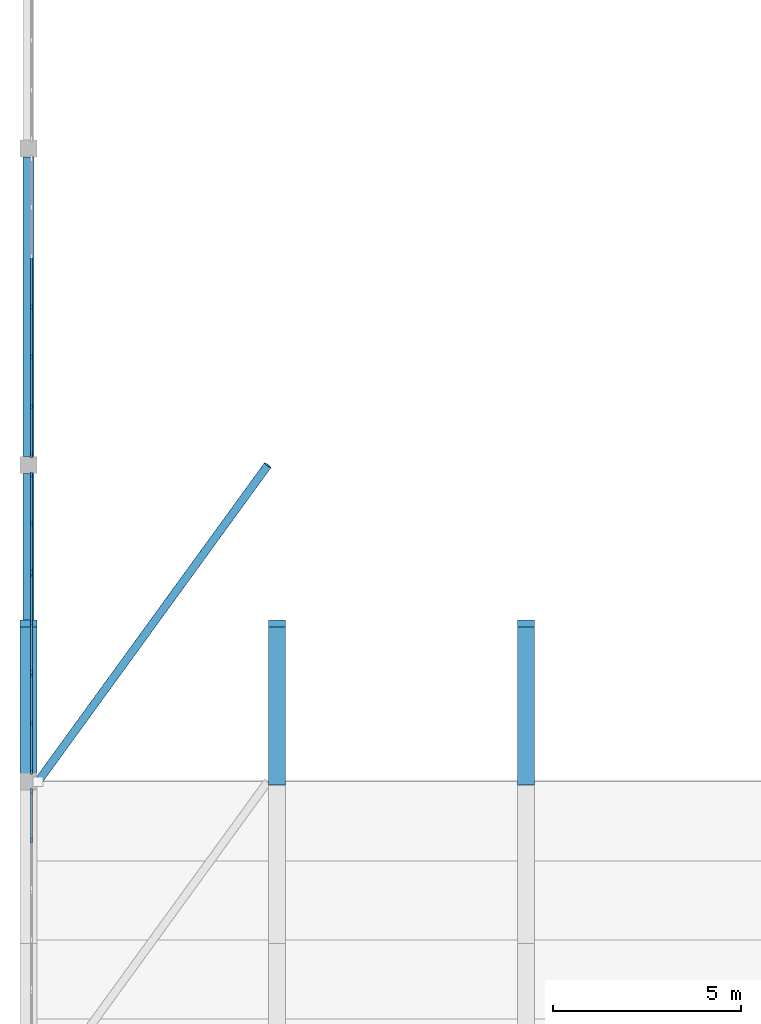
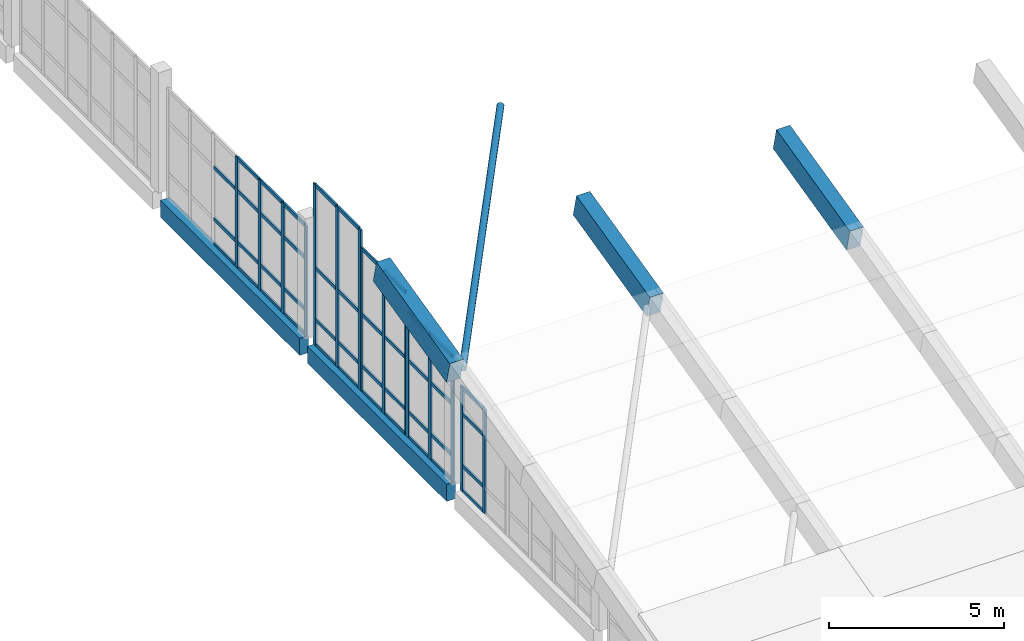
# One storey, part 6 of 78: 59 members, 5 beams, 5 elements without a shape of their own.
"""IFC4 building model written with IfcOpenShell, lengths in metres."""

from ifc_helpers import new_model, si_unit, direction, frame, origin, origin_2d, place, context, subcontext, project, spatial, rectangle, hollow_circle, extrude, material, material_profile, profile_set, type_object, element, aggregate, save


model = new_model("IFC4")

# Units and contexts
model_context = context("Model", 3, precision=1e-05, world=origin(), true_north=direction((0.0, 1.0)))
body_context = subcontext(model_context, "Body", "Model", "MODEL_VIEW")
ifc_project = project(units=[si_unit("LENGTHUNIT", "METRE"), si_unit("AREAUNIT", "SQUARE_METRE"), si_unit("VOLUMEUNIT", "CUBIC_METRE"), si_unit("PLANEANGLEUNIT", "RADIAN"), si_unit("MASSUNIT", "GRAM", prefix="KILO")], contexts=[model_context])

# Site, building, storey
site_placement = place(None, origin())
site = spatial("IfcSite", under=ifc_project, at=site_placement, CompositionType="ELEMENT")
building_placement = place(site_placement, origin())
building = spatial("IfcBuilding", under=site, at=building_placement, Name="Qaldarim Faculty of Natural and Applied Sciences", CompositionType="ELEMENT")
storey_placement = place(building_placement, frame((0.0, 0.0, 18.60009765625)))
storey = spatial("IfcBuildingStorey", under=building, at=storey_placement, Name="L04", CompositionType="ELEMENT", Elevation=18.60009765625)

# Curtain wall, members
ifc_material_1 = material(Name="Anodised aluminium AW-6063", Category="aluminium")
curtain_wall_type = type_object("IfcCurtainWallType", Name="CurtainWallSystem-M1300", PredefinedType="USERDEFINED", material=ifc_material_1)
curtain_wall_1_placement = place(storey_placement, origin())
curtain_wall_1 = element("IfcCurtainWall", 1, at=curtain_wall_1_placement, inside=storey, type_object=curtain_wall_type, Name="Curtain wall CW-GABLE-L04-W-Y04-3", ObjectType="STICK CURTAIN WALL", PredefinedType="USERDEFINED")
ifc_material_profile_1 = material_profile(ifc_material_1, rectangle(XDim=0.06005859375, YDim=0.14990234375, at=origin_2d()), Name="ALU-M60x150")
ifc_profile_set_1 = profile_set([ifc_material_profile_1], Name="Anodised aluminium AW-6063")
member_type_1 = type_object("IfcMemberType", Name="Mullion-ALU60x150", PredefinedType="MULLION", material=ifc_profile_set_1)
member_1_placement = place(storey_placement, frame((0.080078125, 33.340087890625, -0.260009765625), z_axis=(0.0, 0.0, 1.0), x_axis=(1.0, 0.0, 0.0)))
member_1 = element("IfcMember", 2, at=member_1_placement, type_object=member_type_1, Name="Mullion 1 of CW-GABLE-L04-W-Y04-3", PredefinedType="MULLION", context=body_context, shape_type="SweptSolid", body=[
    extrude(rectangle(XDim=0.06005859375, YDim=0.14990234375, at=origin_2d()), origin(), (0.0, 0.0, 1.0), 3.64501953125),
])
member_2_placement = place(storey_placement, frame((0.080078125, 32.052490234375, -0.260009765625), z_axis=(0.0, 0.0, 1.0), x_axis=(1.0, 0.0, 0.0)))
member_2 = element("IfcMember", 3, at=member_2_placement, type_object=member_type_1, Name="Mullion 2 of CW-GABLE-L04-W-Y04-3", PredefinedType="MULLION", context=body_context, shape_type="SweptSolid", body=[
    extrude(rectangle(XDim=0.06005859375, YDim=0.14990234375, at=origin_2d()), origin(), (0.0, 0.0, 1.0), 3.64501953125),
])

curtain_wall_2_placement = place(storey_placement, origin())
curtain_wall_2 = element("IfcCurtainWall", 4, at=curtain_wall_2_placement, inside=storey, type_object=curtain_wall_type, Name="Curtain wall CW-GABLE-L04-W-Y05-1", ObjectType="STICK CURTAIN WALL", PredefinedType="USERDEFINED")
member_3_placement = place(storey_placement, frame((0.080078125, 36.43505859375, -0.260009765625), z_axis=(0.0, 0.0, 1.0), x_axis=(1.0, 0.0, 0.0)))
member_3 = element("IfcMember", 5, at=member_3_placement, type_object=member_type_1, Name="Mullion 1 of CW-GABLE-L04-W-Y05-1", PredefinedType="MULLION", context=body_context, shape_type="SweptSolid", body=[
    extrude(rectangle(XDim=0.06005859375, YDim=0.14990234375, at=origin_2d()), origin(), (0.0, 0.0, 1.0), 4.385009765625),
])
member_4_placement = place(storey_placement, frame((0.080078125, 35.1474609375, -0.260009765625), z_axis=(0.0, 0.0, 1.0), x_axis=(1.0, 0.0, 0.0)))
member_4 = element("IfcMember", 6, at=member_4_placement, type_object=member_type_1, Name="Mullion 2 of CW-GABLE-L04-W-Y05-1", PredefinedType="MULLION", context=body_context, shape_type="SweptSolid", body=[
    extrude(rectangle(XDim=0.06005859375, YDim=0.14990234375, at=origin_2d()), origin(), (0.0, 0.0, 1.0), 4.385009765625),
])
member_5_placement = place(storey_placement, frame((0.080078125, 33.860107421875, -0.260009765625), z_axis=(0.0, 0.0, 1.0), x_axis=(1.0, 0.0, 0.0)))
member_5 = element("IfcMember", 7, at=member_5_placement, type_object=member_type_1, Name="Mullion 3 of CW-GABLE-L04-W-Y05-1", PredefinedType="MULLION", context=body_context, shape_type="SweptSolid", body=[
    extrude(rectangle(XDim=0.06005859375, YDim=0.14990234375, at=origin_2d()), origin(), (0.0, 0.0, 1.0), 4.385009765625),
])

curtain_wall_3_placement = place(storey_placement, origin())
curtain_wall_3 = element("IfcCurtainWall", 8, at=curtain_wall_3_placement, inside=storey, type_object=curtain_wall_type, Name="Curtain wall CW-GABLE-L04-W-Y05-2", ObjectType="STICK CURTAIN WALL", PredefinedType="USERDEFINED")
member_6_placement = place(storey_placement, frame((0.080078125, 39.090087890625, -0.260009765625), z_axis=(0.0, 0.0, 1.0), x_axis=(1.0, 0.0, 0.0)))
member_6 = element("IfcMember", 9, at=member_6_placement, type_object=member_type_1, Name="Mullion 1 of CW-GABLE-L04-W-Y05-2", PredefinedType="MULLION", context=body_context, shape_type="SweptSolid", body=[
    extrude(rectangle(XDim=0.06005859375, YDim=0.14990234375, at=origin_2d()), origin(), (0.0, 0.0, 1.0), 5.0048828125),
])
member_7_placement = place(storey_placement, frame((0.080078125, 37.802490234375, -0.260009765625), z_axis=(0.0, 0.0, 1.0), x_axis=(1.0, 0.0, 0.0)))
member_7 = element("IfcMember", 10, at=member_7_placement, type_object=member_type_1, Name="Mullion 2 of CW-GABLE-L04-W-Y05-2", PredefinedType="MULLION", context=body_context, shape_type="SweptSolid", body=[
    extrude(rectangle(XDim=0.06005859375, YDim=0.14990234375, at=origin_2d()), origin(), (0.0, 0.0, 1.0), 5.0048828125),
])
member_8_placement = place(storey_placement, frame((0.080078125, 36.514892578125, -0.260009765625), z_axis=(0.0, 0.0, 1.0), x_axis=(1.0, 0.0, 0.0)))
member_8 = element("IfcMember", 11, at=member_8_placement, type_object=member_type_1, Name="Mullion 3 of CW-GABLE-L04-W-Y05-2", PredefinedType="MULLION", context=body_context, shape_type="SweptSolid", body=[
    extrude(rectangle(XDim=0.06005859375, YDim=0.14990234375, at=origin_2d()), origin(), (0.0, 0.0, 1.0), 5.0048828125),
])

curtain_wall_4_placement = place(storey_placement, origin())
curtain_wall_4 = element("IfcCurtainWall", 12, at=curtain_wall_4_placement, inside=storey, type_object=curtain_wall_type, Name="Curtain wall CW-GABLE-L04-W-Y05-3", ObjectType="STICK CURTAIN WALL", PredefinedType="USERDEFINED")
member_9_placement = place(storey_placement, frame((0.080078125, 41.739990234375, -0.260009765625), z_axis=(0.0, 0.0, 1.0), x_axis=(1.0, 0.0, 0.0)))
member_9 = element("IfcMember", 13, at=member_9_placement, type_object=member_type_1, Name="Mullion 1 of CW-GABLE-L04-W-Y05-3", PredefinedType="MULLION", context=body_context, shape_type="SweptSolid", body=[
    extrude(rectangle(XDim=0.06005859375, YDim=0.14990234375, at=origin_2d()), origin(), (0.0, 0.0, 1.0), 5.60986328125),
])
member_10_placement = place(storey_placement, frame((0.080078125, 40.452392578125, -0.260009765625), z_axis=(0.0, 0.0, 1.0), x_axis=(1.0, 0.0, 0.0)))
member_10 = element("IfcMember", 14, at=member_10_placement, type_object=member_type_1, Name="Mullion 2 of CW-GABLE-L04-W-Y05-3", PredefinedType="MULLION", context=body_context, shape_type="SweptSolid", body=[
    extrude(rectangle(XDim=0.06005859375, YDim=0.14990234375, at=origin_2d()), origin(), (0.0, 0.0, 1.0), 5.60986328125),
])
member_11_placement = place(storey_placement, frame((0.080078125, 39.1650390625, -0.260009765625), z_axis=(0.0, 0.0, 1.0), x_axis=(1.0, 0.0, 0.0)))
member_11 = element("IfcMember", 15, at=member_11_placement, type_object=member_type_1, Name="Mullion 3 of CW-GABLE-L04-W-Y05-3", PredefinedType="MULLION", context=body_context, shape_type="SweptSolid", body=[
    extrude(rectangle(XDim=0.06005859375, YDim=0.14990234375, at=origin_2d()), origin(), (0.0, 0.0, 1.0), 5.60986328125),
])

curtain_wall_5_placement = place(storey_placement, origin())
curtain_wall_5 = element("IfcCurtainWall", 16, at=curtain_wall_5_placement, inside=storey, type_object=curtain_wall_type, Name="Curtain wall CW-GABLE-L04-W-Y06", ObjectType="STICK CURTAIN WALL", PredefinedType="USERDEFINED")
member_12_placement = place(storey_placement, frame((0.080078125, 46.199951171875, -0.260009765625), z_axis=(0.0, 0.0, 1.0), x_axis=(1.0, 0.0, 0.0)))
member_12 = element("IfcMember", 17, at=member_12_placement, type_object=member_type_1, Name="Mullion 4 of CW-GABLE-L04-W-Y06", PredefinedType="MULLION", context=body_context, shape_type="SweptSolid", body=[
    extrude(rectangle(XDim=0.06005859375, YDim=0.14990234375, at=origin_2d()), origin(), (0.0, 0.0, 1.0), 3.85986328125),
])
member_13_placement = place(storey_placement, frame((0.080078125, 44.876708984375, -0.260009765625), z_axis=(0.0, 0.0, 1.0), x_axis=(1.0, 0.0, 0.0)))
member_13 = element("IfcMember", 18, at=member_13_placement, type_object=member_type_1, Name="Mullion 5 of CW-GABLE-L04-W-Y06", PredefinedType="MULLION", context=body_context, shape_type="SweptSolid", body=[
    extrude(rectangle(XDim=0.06005859375, YDim=0.14990234375, at=origin_2d()), origin(), (0.0, 0.0, 1.0), 3.85986328125),
])
member_14_placement = place(storey_placement, frame((0.080078125, 43.55322265625, -0.260009765625), z_axis=(0.0, 0.0, 1.0), x_axis=(1.0, 0.0, 0.0)))
member_14 = element("IfcMember", 19, at=member_14_placement, type_object=member_type_1, Name="Mullion 6 of CW-GABLE-L04-W-Y06", PredefinedType="MULLION", context=body_context, shape_type="SweptSolid", body=[
    extrude(rectangle(XDim=0.06005859375, YDim=0.14990234375, at=origin_2d()), origin(), (0.0, 0.0, 1.0), 3.85986328125),
])
member_15_placement = place(storey_placement, frame((0.080078125, 42.260009765625, -0.260009765625), z_axis=(0.0, 0.0, 1.0), x_axis=(1.0, 0.0, 0.0)))
member_15 = element("IfcMember", 20, at=member_15_placement, type_object=member_type_1, Name="Mullion 7 of CW-GABLE-L04-W-Y06", PredefinedType="MULLION", context=body_context, shape_type="SweptSolid", body=[
    extrude(rectangle(XDim=0.06005859375, YDim=0.14990234375, at=origin_2d()), origin(), (0.0, 0.0, 1.0), 3.85986328125),
])

# Beams
ifc_material_2 = material(Name="Concrete C50/60", Category="concrete")
ifc_material_profile_2 = material_profile(ifc_material_2, rectangle(XDim=0.449951171875, YDim=0.800048828125, at=origin_2d()), Name="RC-RIB450x800")
ifc_profile_set_2 = profile_set([ifc_material_profile_2], Name="Concrete C50/60")
beam_type_1 = type_object("IfcBeamType", Name="ShellArchRib-RC450x800", PredefinedType="BEAM", material=ifc_profile_set_2)
for number, where, z_axis, x_axis, name in (
    (21, (0.0, 33.60009765625, 3.77978515625), (0.0, 0.972805607937, 0.231623075633), (-1.0, 0.0, 0.0), "Shell arch rib 1 S segment 5"),
    (22, (6.60009765625, 33.60009765625, 3.77978515625), (0.0, 0.972805607937, 0.231623075633), (-1.0, 0.0, 0.0), "Shell arch rib 2 S segment 5"),
    (23, (13.199951171875, 33.60009765625, 3.77978515625), (0.0, 0.972805607937, 0.231623075633), (-1.0, 0.0, 0.0), "Shell arch rib 3 S segment 5"),
):
    element("IfcBeam", number, at=place(storey_placement, frame(where, z_axis=z_axis, x_axis=x_axis)), inside=storey, type_object=beam_type_1, Name=name, PredefinedType="BEAM", context=body_context, shape_type="SweptSolid", body=[
        extrude(rectangle(XDim=0.449951171875, YDim=0.800048828125, at=origin_2d()), origin(), (0.0, 0.0, 1.0), 4.3173828125),
    ])

# Member
ifc_material_3 = material(Name="Structural steel S355", Category="steel")
ifc_material_profile_3 = material_profile(ifc_material_3, hollow_circle(Radius=0.109619140625, WallThickness=0.012451171875, at=origin_2d()), Name="CHS 219.1x12.5")
ifc_profile_set_3 = profile_set([ifc_material_profile_3], Name="Structural steel S355")
member_type_2 = type_object("IfcMemberType", Name="ShellStrut-CHS219x12-5", PredefinedType="STRUT", material=ifc_profile_set_3)
member_16_placement = place(storey_placement, frame((0.25, 33.60009765625, 3.77978515625), z_axis=(0.577406183536, 0.795094739084, 0.185543674362), x_axis=(-0.809144712888, 0.587609422665, 0.0)))
element("IfcMember", 24, at=member_16_placement, inside=storey, type_object=member_type_2, Name="Shell wind strut bay 1 S3", PredefinedType="STRUT", context=body_context, shape_type="SweptSolid", body=[
    extrude(hollow_circle(Radius=0.109619140625, WallThickness=0.012451171875, at=origin_2d()), origin(), (0.0, 0.0, 1.0), 10.564697265625),
])

# Beams
ifc_material_4 = material(Name="Precast concrete C40/50", Category="concrete")
ifc_material_profile_4 = material_profile(ifc_material_4, rectangle(XDim=0.300048828125, YDim=0.60009765625, at=origin_2d()), Name="RC-SP300x600")
ifc_profile_set_4 = profile_set([ifc_material_profile_4], Name="Precast concrete C40/50")
beam_type_2 = type_object("IfcBeamType", Name="SpandrelBeam-RC300x600", PredefinedType="SPANDREL", material=ifc_profile_set_4)
for number, where, z_axis, x_axis, name in (
    (25, (0.0, 33.824951171875, -0.56005859375), (0.0, 1.0, 0.0), (-1.0, 0.0, 0.0), "Shell gable tie beam L03 X01/Y05-Y06"),
    (26, (0.0, 42.22509765625, -0.56005859375), (0.0, 1.0, 0.0), (-1.0, 0.0, 0.0), "Shell gable tie beam L03 X01/Y06-Y07"),
):
    element("IfcBeam", number, at=place(storey_placement, frame(where, z_axis=z_axis, x_axis=x_axis)), inside=storey, type_object=beam_type_2, Name=name, PredefinedType="SPANDREL", context=body_context, shape_type="SweptSolid", body=[
        extrude(rectangle(XDim=0.300048828125, YDim=0.60009765625, at=origin_2d()), origin(), (0.0, 0.0, 1.0), 7.949951171875),
    ])

# Member
ifc_material_profile_5 = material_profile(ifc_material_1, rectangle(XDim=0.06005859375, YDim=0.1201171875, at=origin_2d()), Name="ALU-T60x120")
ifc_profile_set_5 = profile_set([ifc_material_profile_5], Name="Anodised aluminium AW-6063")
member_type_3 = type_object("IfcMemberType", Name="Transom-ALU60x120", PredefinedType="USERDEFINED", material=ifc_profile_set_5)
member_17_placement = place(storey_placement, frame((0.080078125, 33.31005859375, -0.22998046875), z_axis=(0.0, -1.0, 0.0), x_axis=(1.0, 0.0, 0.0)))
member_17 = element("IfcMember", 27, at=member_17_placement, type_object=member_type_3, Name="Transom 1-1 of CW-GABLE-L04-W-Y04-3", ObjectType="TRANSOM", PredefinedType="USERDEFINED", context=body_context, shape_type="SweptSolid", body=[
    extrude(rectangle(XDim=0.06005859375, YDim=0.1201171875, at=origin_2d()), origin(), (0.0, 0.0, 1.0), 1.2275390625),
])

member_18_placement = place(storey_placement, frame((0.080078125, 33.31005859375, 0.639892578125), z_axis=(0.0, -1.0, 0.0), x_axis=(1.0, 0.0, 0.0)))
member_18 = element("IfcMember", 28, at=member_18_placement, type_object=member_type_3, Name="Transom 1-2 of CW-GABLE-L04-W-Y04-3", ObjectType="TRANSOM", PredefinedType="USERDEFINED", context=body_context, shape_type="SweptSolid", body=[
    extrude(rectangle(XDim=0.06005859375, YDim=0.1201171875, at=origin_2d()), origin(), (0.0, 0.0, 1.0), 1.2275390625),
])

member_19_placement = place(storey_placement, frame((0.080078125, 33.31005859375, 2.43994140625), z_axis=(0.0, -1.0, 0.0), x_axis=(1.0, 0.0, 0.0)))
member_19 = element("IfcMember", 29, at=member_19_placement, type_object=member_type_3, Name="Transom 1-3 of CW-GABLE-L04-W-Y04-3", ObjectType="TRANSOM", PredefinedType="USERDEFINED", context=body_context, shape_type="SweptSolid", body=[
    extrude(rectangle(XDim=0.06005859375, YDim=0.1201171875, at=origin_2d()), origin(), (0.0, 0.0, 1.0), 1.2275390625),
])

member_20_placement = place(storey_placement, frame((0.080078125, 33.31005859375, 3.35498046875), z_axis=(0.0, -1.0, 0.0), x_axis=(1.0, 0.0, 0.0)))
member_20 = element("IfcMember", 30, at=member_20_placement, type_object=member_type_3, Name="Transom 1-4 of CW-GABLE-L04-W-Y04-3", ObjectType="TRANSOM", PredefinedType="USERDEFINED", context=body_context, shape_type="SweptSolid", body=[
    extrude(rectangle(XDim=0.06005859375, YDim=0.1201171875, at=origin_2d()), origin(), (0.0, 0.0, 1.0), 1.2275390625),
])

aggregate(curtain_wall_1, [member_1, member_2, member_17, member_18, member_19, member_20])

member_21_placement = place(storey_placement, frame((0.080078125, 36.405029296875, -0.22998046875), z_axis=(0.0, -1.0, 0.0), x_axis=(1.0, 0.0, 0.0)))
member_21 = element("IfcMember", 31, at=member_21_placement, type_object=member_type_3, Name="Transom 1-1 of CW-GABLE-L04-W-Y05-1", ObjectType="TRANSOM", PredefinedType="USERDEFINED", context=body_context, shape_type="SweptSolid", body=[
    extrude(rectangle(XDim=0.06005859375, YDim=0.1201171875, at=origin_2d()), origin(), (0.0, 0.0, 1.0), 1.2275390625),
])

member_22_placement = place(storey_placement, frame((0.080078125, 36.405029296875, 0.639892578125), z_axis=(0.0, -1.0, 0.0), x_axis=(1.0, 0.0, 0.0)))
member_22 = element("IfcMember", 32, at=member_22_placement, type_object=member_type_3, Name="Transom 1-2 of CW-GABLE-L04-W-Y05-1", ObjectType="TRANSOM", PredefinedType="USERDEFINED", context=body_context, shape_type="SweptSolid", body=[
    extrude(rectangle(XDim=0.06005859375, YDim=0.1201171875, at=origin_2d()), origin(), (0.0, 0.0, 1.0), 1.2275390625),
])

member_23_placement = place(storey_placement, frame((0.080078125, 36.405029296875, 2.43994140625), z_axis=(0.0, -1.0, 0.0), x_axis=(1.0, 0.0, 0.0)))
member_23 = element("IfcMember", 33, at=member_23_placement, type_object=member_type_3, Name="Transom 1-3 of CW-GABLE-L04-W-Y05-1", ObjectType="TRANSOM", PredefinedType="USERDEFINED", context=body_context, shape_type="SweptSolid", body=[
    extrude(rectangle(XDim=0.06005859375, YDim=0.1201171875, at=origin_2d()), origin(), (0.0, 0.0, 1.0), 1.2275390625),
])

member_24_placement = place(storey_placement, frame((0.080078125, 36.405029296875, 4.094970703125), z_axis=(0.0, -1.0, 0.0), x_axis=(1.0, 0.0, 0.0)))
member_24 = element("IfcMember", 34, at=member_24_placement, type_object=member_type_3, Name="Transom 1-4 of CW-GABLE-L04-W-Y05-1", ObjectType="TRANSOM", PredefinedType="USERDEFINED", context=body_context, shape_type="SweptSolid", body=[
    extrude(rectangle(XDim=0.06005859375, YDim=0.1201171875, at=origin_2d()), origin(), (0.0, 0.0, 1.0), 1.2275390625),
])

member_25_placement = place(storey_placement, frame((0.080078125, 35.117431640625, -0.22998046875), z_axis=(0.0, -1.0, 0.0), x_axis=(1.0, 0.0, 0.0)))
member_25 = element("IfcMember", 35, at=member_25_placement, type_object=member_type_3, Name="Transom 2-1 of CW-GABLE-L04-W-Y05-1", ObjectType="TRANSOM", PredefinedType="USERDEFINED", context=body_context, shape_type="SweptSolid", body=[
    extrude(rectangle(XDim=0.06005859375, YDim=0.1201171875, at=origin_2d()), origin(), (0.0, 0.0, 1.0), 1.2275390625),
])

member_26_placement = place(storey_placement, frame((0.080078125, 35.117431640625, 0.639892578125), z_axis=(0.0, -1.0, 0.0), x_axis=(1.0, 0.0, 0.0)))
member_26 = element("IfcMember", 36, at=member_26_placement, type_object=member_type_3, Name="Transom 2-2 of CW-GABLE-L04-W-Y05-1", ObjectType="TRANSOM", PredefinedType="USERDEFINED", context=body_context, shape_type="SweptSolid", body=[
    extrude(rectangle(XDim=0.06005859375, YDim=0.1201171875, at=origin_2d()), origin(), (0.0, 0.0, 1.0), 1.2275390625),
])

member_27_placement = place(storey_placement, frame((0.080078125, 35.117431640625, 2.43994140625), z_axis=(0.0, -1.0, 0.0), x_axis=(1.0, 0.0, 0.0)))
member_27 = element("IfcMember", 37, at=member_27_placement, type_object=member_type_3, Name="Transom 2-3 of CW-GABLE-L04-W-Y05-1", ObjectType="TRANSOM", PredefinedType="USERDEFINED", context=body_context, shape_type="SweptSolid", body=[
    extrude(rectangle(XDim=0.06005859375, YDim=0.1201171875, at=origin_2d()), origin(), (0.0, 0.0, 1.0), 1.2275390625),
])

member_28_placement = place(storey_placement, frame((0.080078125, 35.117431640625, 4.094970703125), z_axis=(0.0, -1.0, 0.0), x_axis=(1.0, 0.0, 0.0)))
member_28 = element("IfcMember", 38, at=member_28_placement, type_object=member_type_3, Name="Transom 2-4 of CW-GABLE-L04-W-Y05-1", ObjectType="TRANSOM", PredefinedType="USERDEFINED", context=body_context, shape_type="SweptSolid", body=[
    extrude(rectangle(XDim=0.06005859375, YDim=0.1201171875, at=origin_2d()), origin(), (0.0, 0.0, 1.0), 1.2275390625),
])

aggregate(curtain_wall_2, [member_3, member_4, member_5, member_21, member_22, member_23, member_24, member_25, member_26, member_27, member_28])

member_29_placement = place(storey_placement, frame((0.080078125, 39.06005859375, -0.22998046875), z_axis=(0.0, -1.0, 0.0), x_axis=(1.0, 0.0, 0.0)))
member_29 = element("IfcMember", 39, at=member_29_placement, type_object=member_type_3, Name="Transom 1-1 of CW-GABLE-L04-W-Y05-2", ObjectType="TRANSOM", PredefinedType="USERDEFINED", context=body_context, shape_type="SweptSolid", body=[
    extrude(rectangle(XDim=0.06005859375, YDim=0.1201171875, at=origin_2d()), origin(), (0.0, 0.0, 1.0), 1.2275390625),
])

member_30_placement = place(storey_placement, frame((0.080078125, 39.06005859375, 0.639892578125), z_axis=(0.0, -1.0, 0.0), x_axis=(1.0, 0.0, 0.0)))
member_30 = element("IfcMember", 40, at=member_30_placement, type_object=member_type_3, Name="Transom 1-2 of CW-GABLE-L04-W-Y05-2", ObjectType="TRANSOM", PredefinedType="USERDEFINED", context=body_context, shape_type="SweptSolid", body=[
    extrude(rectangle(XDim=0.06005859375, YDim=0.1201171875, at=origin_2d()), origin(), (0.0, 0.0, 1.0), 1.2275390625),
])

member_31_placement = place(storey_placement, frame((0.080078125, 39.06005859375, 2.43994140625), z_axis=(0.0, -1.0, 0.0), x_axis=(1.0, 0.0, 0.0)))
member_31 = element("IfcMember", 41, at=member_31_placement, type_object=member_type_3, Name="Transom 1-3 of CW-GABLE-L04-W-Y05-2", ObjectType="TRANSOM", PredefinedType="USERDEFINED", context=body_context, shape_type="SweptSolid", body=[
    extrude(rectangle(XDim=0.06005859375, YDim=0.1201171875, at=origin_2d()), origin(), (0.0, 0.0, 1.0), 1.2275390625),
])

member_32_placement = place(storey_placement, frame((0.080078125, 39.06005859375, 4.71484375), z_axis=(0.0, -1.0, 0.0), x_axis=(1.0, 0.0, 0.0)))
member_32 = element("IfcMember", 42, at=member_32_placement, type_object=member_type_3, Name="Transom 1-4 of CW-GABLE-L04-W-Y05-2", ObjectType="TRANSOM", PredefinedType="USERDEFINED", context=body_context, shape_type="SweptSolid", body=[
    extrude(rectangle(XDim=0.06005859375, YDim=0.1201171875, at=origin_2d()), origin(), (0.0, 0.0, 1.0), 1.2275390625),
])

member_33_placement = place(storey_placement, frame((0.080078125, 37.7724609375, -0.22998046875), z_axis=(0.0, -1.0, 0.0), x_axis=(1.0, 0.0, 0.0)))
member_33 = element("IfcMember", 43, at=member_33_placement, type_object=member_type_3, Name="Transom 2-1 of CW-GABLE-L04-W-Y05-2", ObjectType="TRANSOM", PredefinedType="USERDEFINED", context=body_context, shape_type="SweptSolid", body=[
    extrude(rectangle(XDim=0.06005859375, YDim=0.1201171875, at=origin_2d()), origin(), (0.0, 0.0, 1.0), 1.2275390625),
])

member_34_placement = place(storey_placement, frame((0.080078125, 37.7724609375, 0.639892578125), z_axis=(0.0, -1.0, 0.0), x_axis=(1.0, 0.0, 0.0)))
member_34 = element("IfcMember", 44, at=member_34_placement, type_object=member_type_3, Name="Transom 2-2 of CW-GABLE-L04-W-Y05-2", ObjectType="TRANSOM", PredefinedType="USERDEFINED", context=body_context, shape_type="SweptSolid", body=[
    extrude(rectangle(XDim=0.06005859375, YDim=0.1201171875, at=origin_2d()), origin(), (0.0, 0.0, 1.0), 1.2275390625),
])

member_35_placement = place(storey_placement, frame((0.080078125, 37.7724609375, 2.43994140625), z_axis=(0.0, -1.0, 0.0), x_axis=(1.0, 0.0, 0.0)))
member_35 = element("IfcMember", 45, at=member_35_placement, type_object=member_type_3, Name="Transom 2-3 of CW-GABLE-L04-W-Y05-2", ObjectType="TRANSOM", PredefinedType="USERDEFINED", context=body_context, shape_type="SweptSolid", body=[
    extrude(rectangle(XDim=0.06005859375, YDim=0.1201171875, at=origin_2d()), origin(), (0.0, 0.0, 1.0), 1.2275390625),
])

member_36_placement = place(storey_placement, frame((0.080078125, 37.7724609375, 4.71484375), z_axis=(0.0, -1.0, 0.0), x_axis=(1.0, 0.0, 0.0)))
member_36 = element("IfcMember", 46, at=member_36_placement, type_object=member_type_3, Name="Transom 2-4 of CW-GABLE-L04-W-Y05-2", ObjectType="TRANSOM", PredefinedType="USERDEFINED", context=body_context, shape_type="SweptSolid", body=[
    extrude(rectangle(XDim=0.06005859375, YDim=0.1201171875, at=origin_2d()), origin(), (0.0, 0.0, 1.0), 1.2275390625),
])

aggregate(curtain_wall_3, [member_6, member_7, member_8, member_29, member_30, member_31, member_32, member_33, member_34, member_35, member_36])

member_37_placement = place(storey_placement, frame((0.080078125, 41.7099609375, -0.22998046875), z_axis=(0.0, -1.0, 0.0), x_axis=(1.0, 0.0, 0.0)))
member_37 = element("IfcMember", 47, at=member_37_placement, type_object=member_type_3, Name="Transom 1-1 of CW-GABLE-L04-W-Y05-3", ObjectType="TRANSOM", PredefinedType="USERDEFINED", context=body_context, shape_type="SweptSolid", body=[
    extrude(rectangle(XDim=0.06005859375, YDim=0.1201171875, at=origin_2d()), origin(), (0.0, 0.0, 1.0), 1.2275390625),
])

member_38_placement = place(storey_placement, frame((0.080078125, 41.7099609375, 0.639892578125), z_axis=(0.0, -1.0, 0.0), x_axis=(1.0, 0.0, 0.0)))
member_38 = element("IfcMember", 48, at=member_38_placement, type_object=member_type_3, Name="Transom 1-2 of CW-GABLE-L04-W-Y05-3", ObjectType="TRANSOM", PredefinedType="USERDEFINED", context=body_context, shape_type="SweptSolid", body=[
    extrude(rectangle(XDim=0.06005859375, YDim=0.1201171875, at=origin_2d()), origin(), (0.0, 0.0, 1.0), 1.2275390625),
])

member_39_placement = place(storey_placement, frame((0.080078125, 41.7099609375, 2.43994140625), z_axis=(0.0, -1.0, 0.0), x_axis=(1.0, 0.0, 0.0)))
member_39 = element("IfcMember", 49, at=member_39_placement, type_object=member_type_3, Name="Transom 1-3 of CW-GABLE-L04-W-Y05-3", ObjectType="TRANSOM", PredefinedType="USERDEFINED", context=body_context, shape_type="SweptSolid", body=[
    extrude(rectangle(XDim=0.06005859375, YDim=0.1201171875, at=origin_2d()), origin(), (0.0, 0.0, 1.0), 1.2275390625),
])

member_40_placement = place(storey_placement, frame((0.080078125, 41.7099609375, 5.31982421875), z_axis=(0.0, -1.0, 0.0), x_axis=(1.0, 0.0, 0.0)))
member_40 = element("IfcMember", 50, at=member_40_placement, type_object=member_type_3, Name="Transom 1-4 of CW-GABLE-L04-W-Y05-3", ObjectType="TRANSOM", PredefinedType="USERDEFINED", context=body_context, shape_type="SweptSolid", body=[
    extrude(rectangle(XDim=0.06005859375, YDim=0.1201171875, at=origin_2d()), origin(), (0.0, 0.0, 1.0), 1.2275390625),
])

member_41_placement = place(storey_placement, frame((0.080078125, 40.422607421875, -0.22998046875), z_axis=(0.0, -1.0, 0.0), x_axis=(1.0, 0.0, 0.0)))
member_41 = element("IfcMember", 51, at=member_41_placement, type_object=member_type_3, Name="Transom 2-1 of CW-GABLE-L04-W-Y05-3", ObjectType="TRANSOM", PredefinedType="USERDEFINED", context=body_context, shape_type="SweptSolid", body=[
    extrude(rectangle(XDim=0.06005859375, YDim=0.1201171875, at=origin_2d()), origin(), (0.0, 0.0, 1.0), 1.2275390625),
])

member_42_placement = place(storey_placement, frame((0.080078125, 40.422607421875, 0.639892578125), z_axis=(0.0, -1.0, 0.0), x_axis=(1.0, 0.0, 0.0)))
member_42 = element("IfcMember", 52, at=member_42_placement, type_object=member_type_3, Name="Transom 2-2 of CW-GABLE-L04-W-Y05-3", ObjectType="TRANSOM", PredefinedType="USERDEFINED", context=body_context, shape_type="SweptSolid", body=[
    extrude(rectangle(XDim=0.06005859375, YDim=0.1201171875, at=origin_2d()), origin(), (0.0, 0.0, 1.0), 1.2275390625),
])

member_43_placement = place(storey_placement, frame((0.080078125, 40.422607421875, 2.43994140625), z_axis=(0.0, -1.0, 0.0), x_axis=(1.0, 0.0, 0.0)))
member_43 = element("IfcMember", 53, at=member_43_placement, type_object=member_type_3, Name="Transom 2-3 of CW-GABLE-L04-W-Y05-3", ObjectType="TRANSOM", PredefinedType="USERDEFINED", context=body_context, shape_type="SweptSolid", body=[
    extrude(rectangle(XDim=0.06005859375, YDim=0.1201171875, at=origin_2d()), origin(), (0.0, 0.0, 1.0), 1.2275390625),
])

member_44_placement = place(storey_placement, frame((0.080078125, 40.422607421875, 5.31982421875), z_axis=(0.0, -1.0, 0.0), x_axis=(1.0, 0.0, 0.0)))
member_44 = element("IfcMember", 54, at=member_44_placement, type_object=member_type_3, Name="Transom 2-4 of CW-GABLE-L04-W-Y05-3", ObjectType="TRANSOM", PredefinedType="USERDEFINED", context=body_context, shape_type="SweptSolid", body=[
    extrude(rectangle(XDim=0.06005859375, YDim=0.1201171875, at=origin_2d()), origin(), (0.0, 0.0, 1.0), 1.2275390625),
])

aggregate(curtain_wall_4, [member_9, member_10, member_11, member_37, member_38, member_39, member_40, member_41, member_42, member_43, member_44])

member_45_placement = place(storey_placement, frame((0.080078125, 47.493408203125, -0.22998046875), z_axis=(0.0, -1.0, 0.0), x_axis=(1.0, 0.0, 0.0)))
member_45 = element("IfcMember", 55, at=member_45_placement, type_object=member_type_3, Name="Transom 3-1 of CW-GABLE-L04-W-Y06", ObjectType="TRANSOM", PredefinedType="USERDEFINED", context=body_context, shape_type="SweptSolid", body=[
    extrude(rectangle(XDim=0.06005859375, YDim=0.1201171875, at=origin_2d()), origin(), (0.0, 0.0, 1.0), 1.263427734375),
])

member_46_placement = place(storey_placement, frame((0.080078125, 47.493408203125, 0.639892578125), z_axis=(0.0, -1.0, 0.0), x_axis=(1.0, 0.0, 0.0)))
member_46 = element("IfcMember", 56, at=member_46_placement, type_object=member_type_3, Name="Transom 3-2 of CW-GABLE-L04-W-Y06", ObjectType="TRANSOM", PredefinedType="USERDEFINED", context=body_context, shape_type="SweptSolid", body=[
    extrude(rectangle(XDim=0.06005859375, YDim=0.1201171875, at=origin_2d()), origin(), (0.0, 0.0, 1.0), 1.263427734375),
])

member_47_placement = place(storey_placement, frame((0.080078125, 47.493408203125, 2.43994140625), z_axis=(0.0, -1.0, 0.0), x_axis=(1.0, 0.0, 0.0)))
member_47 = element("IfcMember", 57, at=member_47_placement, type_object=member_type_3, Name="Transom 3-3 of CW-GABLE-L04-W-Y06", ObjectType="TRANSOM", PredefinedType="USERDEFINED", context=body_context, shape_type="SweptSolid", body=[
    extrude(rectangle(XDim=0.06005859375, YDim=0.1201171875, at=origin_2d()), origin(), (0.0, 0.0, 1.0), 1.263427734375),
])

member_48_placement = place(storey_placement, frame((0.080078125, 46.169921875, -0.22998046875), z_axis=(0.0, -1.0, 0.0), x_axis=(1.0, 0.0, 0.0)))
member_48 = element("IfcMember", 58, at=member_48_placement, type_object=member_type_3, Name="Transom 4-1 of CW-GABLE-L04-W-Y06", ObjectType="TRANSOM", PredefinedType="USERDEFINED", context=body_context, shape_type="SweptSolid", body=[
    extrude(rectangle(XDim=0.06005859375, YDim=0.1201171875, at=origin_2d()), origin(), (0.0, 0.0, 1.0), 1.26318359375),
])

member_49_placement = place(storey_placement, frame((0.080078125, 46.169921875, 0.639892578125), z_axis=(0.0, -1.0, 0.0), x_axis=(1.0, 0.0, 0.0)))
member_49 = element("IfcMember", 59, at=member_49_placement, type_object=member_type_3, Name="Transom 4-2 of CW-GABLE-L04-W-Y06", ObjectType="TRANSOM", PredefinedType="USERDEFINED", context=body_context, shape_type="SweptSolid", body=[
    extrude(rectangle(XDim=0.06005859375, YDim=0.1201171875, at=origin_2d()), origin(), (0.0, 0.0, 1.0), 1.26318359375),
])

member_50_placement = place(storey_placement, frame((0.080078125, 46.169921875, 2.43994140625), z_axis=(0.0, -1.0, 0.0), x_axis=(1.0, 0.0, 0.0)))
member_50 = element("IfcMember", 60, at=member_50_placement, type_object=member_type_3, Name="Transom 4-3 of CW-GABLE-L04-W-Y06", ObjectType="TRANSOM", PredefinedType="USERDEFINED", context=body_context, shape_type="SweptSolid", body=[
    extrude(rectangle(XDim=0.06005859375, YDim=0.1201171875, at=origin_2d()), origin(), (0.0, 0.0, 1.0), 1.26318359375),
])

member_51_placement = place(storey_placement, frame((0.080078125, 46.169921875, 3.56982421875), z_axis=(0.0, -1.0, 0.0), x_axis=(1.0, 0.0, 0.0)))
member_51 = element("IfcMember", 61, at=member_51_placement, type_object=member_type_3, Name="Transom 4-4 of CW-GABLE-L04-W-Y06", ObjectType="TRANSOM", PredefinedType="USERDEFINED", context=body_context, shape_type="SweptSolid", body=[
    extrude(rectangle(XDim=0.06005859375, YDim=0.1201171875, at=origin_2d()), origin(), (0.0, 0.0, 1.0), 1.26318359375),
])

member_52_placement = place(storey_placement, frame((0.080078125, 44.8466796875, -0.22998046875), z_axis=(0.0, -1.0, 0.0), x_axis=(1.0, 0.0, 0.0)))
member_52 = element("IfcMember", 62, at=member_52_placement, type_object=member_type_3, Name="Transom 5-1 of CW-GABLE-L04-W-Y06", ObjectType="TRANSOM", PredefinedType="USERDEFINED", context=body_context, shape_type="SweptSolid", body=[
    extrude(rectangle(XDim=0.06005859375, YDim=0.1201171875, at=origin_2d()), origin(), (0.0, 0.0, 1.0), 1.263427734375),
])

member_53_placement = place(storey_placement, frame((0.080078125, 44.8466796875, 0.639892578125), z_axis=(0.0, -1.0, 0.0), x_axis=(1.0, 0.0, 0.0)))
member_53 = element("IfcMember", 63, at=member_53_placement, type_object=member_type_3, Name="Transom 5-2 of CW-GABLE-L04-W-Y06", ObjectType="TRANSOM", PredefinedType="USERDEFINED", context=body_context, shape_type="SweptSolid", body=[
    extrude(rectangle(XDim=0.06005859375, YDim=0.1201171875, at=origin_2d()), origin(), (0.0, 0.0, 1.0), 1.263427734375),
])

member_54_placement = place(storey_placement, frame((0.080078125, 44.8466796875, 2.43994140625), z_axis=(0.0, -1.0, 0.0), x_axis=(1.0, 0.0, 0.0)))
member_54 = element("IfcMember", 64, at=member_54_placement, type_object=member_type_3, Name="Transom 5-3 of CW-GABLE-L04-W-Y06", ObjectType="TRANSOM", PredefinedType="USERDEFINED", context=body_context, shape_type="SweptSolid", body=[
    extrude(rectangle(XDim=0.06005859375, YDim=0.1201171875, at=origin_2d()), origin(), (0.0, 0.0, 1.0), 1.263427734375),
])

member_55_placement = place(storey_placement, frame((0.080078125, 44.8466796875, 3.56982421875), z_axis=(0.0, -1.0, 0.0), x_axis=(1.0, 0.0, 0.0)))
member_55 = element("IfcMember", 65, at=member_55_placement, type_object=member_type_3, Name="Transom 5-4 of CW-GABLE-L04-W-Y06", ObjectType="TRANSOM", PredefinedType="USERDEFINED", context=body_context, shape_type="SweptSolid", body=[
    extrude(rectangle(XDim=0.06005859375, YDim=0.1201171875, at=origin_2d()), origin(), (0.0, 0.0, 1.0), 1.263427734375),
])

member_56_placement = place(storey_placement, frame((0.080078125, 43.523193359375, -0.22998046875), z_axis=(0.0, -1.0, 0.0), x_axis=(1.0, 0.0, 0.0)))
member_56 = element("IfcMember", 66, at=member_56_placement, type_object=member_type_3, Name="Transom 6-1 of CW-GABLE-L04-W-Y06", ObjectType="TRANSOM", PredefinedType="USERDEFINED", context=body_context, shape_type="SweptSolid", body=[
    extrude(rectangle(XDim=0.06005859375, YDim=0.1201171875, at=origin_2d()), origin(), (0.0, 0.0, 1.0), 1.233154296875),
])

member_57_placement = place(storey_placement, frame((0.080078125, 43.523193359375, 0.639892578125), z_axis=(0.0, -1.0, 0.0), x_axis=(1.0, 0.0, 0.0)))
member_57 = element("IfcMember", 67, at=member_57_placement, type_object=member_type_3, Name="Transom 6-2 of CW-GABLE-L04-W-Y06", ObjectType="TRANSOM", PredefinedType="USERDEFINED", context=body_context, shape_type="SweptSolid", body=[
    extrude(rectangle(XDim=0.06005859375, YDim=0.1201171875, at=origin_2d()), origin(), (0.0, 0.0, 1.0), 1.233154296875),
])

member_58_placement = place(storey_placement, frame((0.080078125, 43.523193359375, 2.43994140625), z_axis=(0.0, -1.0, 0.0), x_axis=(1.0, 0.0, 0.0)))
member_58 = element("IfcMember", 68, at=member_58_placement, type_object=member_type_3, Name="Transom 6-3 of CW-GABLE-L04-W-Y06", ObjectType="TRANSOM", PredefinedType="USERDEFINED", context=body_context, shape_type="SweptSolid", body=[
    extrude(rectangle(XDim=0.06005859375, YDim=0.1201171875, at=origin_2d()), origin(), (0.0, 0.0, 1.0), 1.233154296875),
])

member_59_placement = place(storey_placement, frame((0.080078125, 43.523193359375, 3.56982421875), z_axis=(0.0, -1.0, 0.0), x_axis=(1.0, 0.0, 0.0)))
member_59 = element("IfcMember", 69, at=member_59_placement, type_object=member_type_3, Name="Transom 6-4 of CW-GABLE-L04-W-Y06", ObjectType="TRANSOM", PredefinedType="USERDEFINED", context=body_context, shape_type="SweptSolid", body=[
    extrude(rectangle(XDim=0.06005859375, YDim=0.1201171875, at=origin_2d()), origin(), (0.0, 0.0, 1.0), 1.233154296875),
])

aggregate(curtain_wall_5, [member_12, member_13, member_14, member_15, member_45, member_46, member_47, member_48, member_49, member_50, member_51, member_52, member_53, member_54, member_55, member_56, member_57, member_58, member_59])

save(model, "model.ifc")
